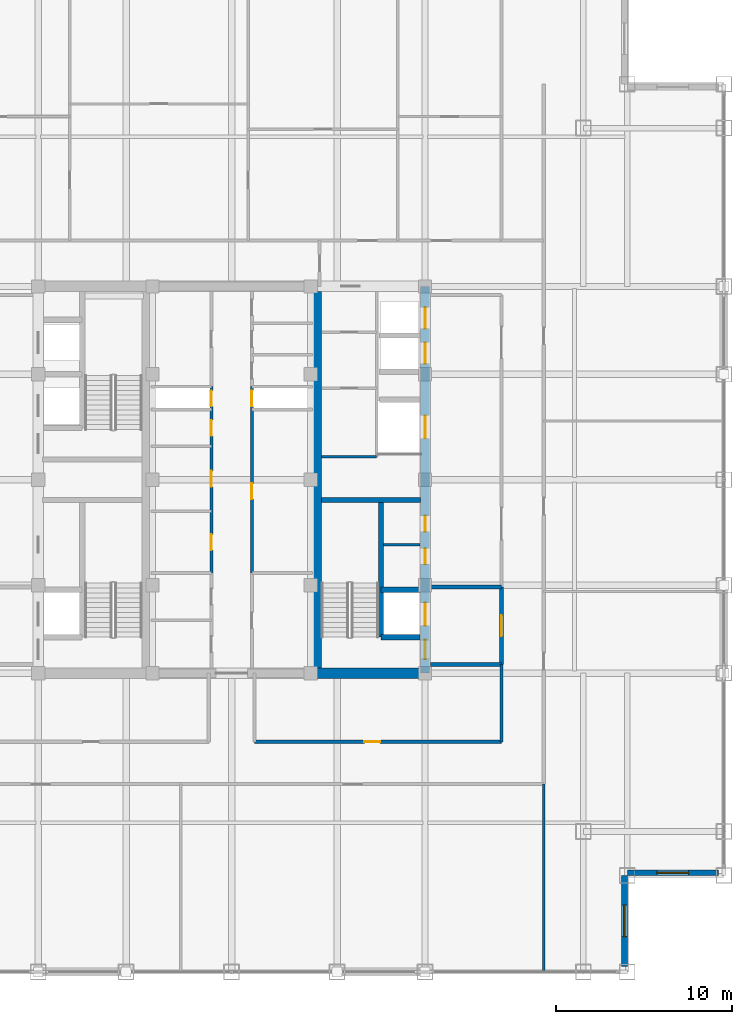
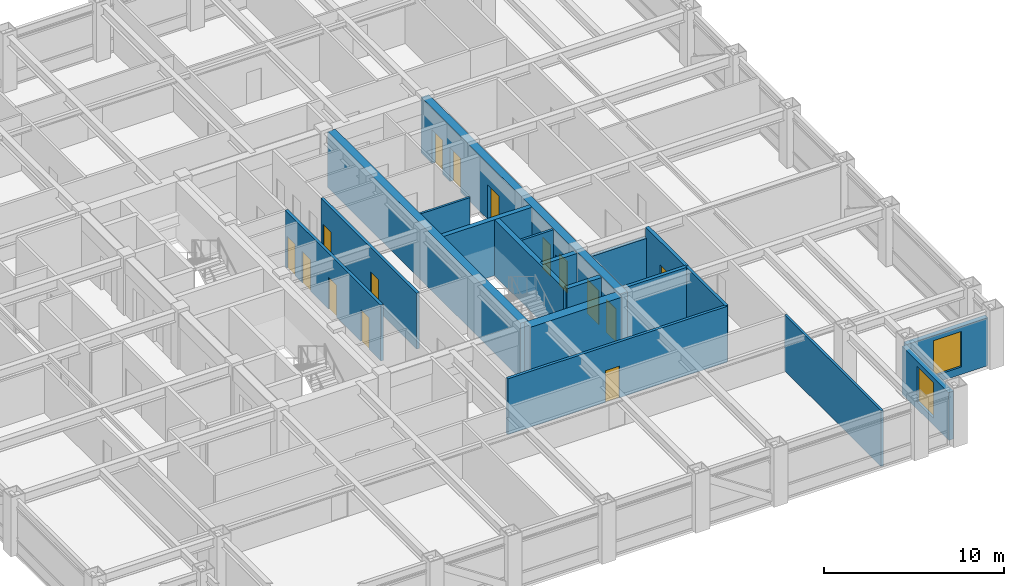
# One storey, part 19 of 22: 19 walls, 15 doors, 2 windows, 17 openings.
"""IFC4 building model written with IfcOpenShell, lengths in metres."""

from ifc_helpers import new_model, si_unit, direction, frame, frame_2d, origin, place, context, subcontext, project, spatial, rectangle, extrude, source, transform, mapped, material, layer, layer_set, type_object, element, fill, save


model = new_model("IFC4")

# Units and contexts
model_context = context("Model", 3, precision=1e-05, world=origin(), true_north=direction((0.0, 1.0)))
body_context = subcontext(model_context, "Body", "Model", "MODEL_VIEW")
ifc_project = project(units=[si_unit("LENGTHUNIT", "METRE"), si_unit("AREAUNIT", "SQUARE_METRE"), si_unit("VOLUMEUNIT", "CUBIC_METRE"), si_unit("PLANEANGLEUNIT", "RADIAN"), si_unit("MASSUNIT", "GRAM", prefix="KILO")], contexts=[model_context])

# Site, building, storey
site_placement = place(None, origin())
site = spatial("IfcSite", under=ifc_project, at=site_placement, CompositionType="ELEMENT")
building_placement = place(site_placement, origin())
building = spatial("IfcBuilding", under=site, at=building_placement, Name="Khorayat Bourse Tower", CompositionType="ELEMENT")
storey_placement = place(building_placement, frame((0.0, 0.0, 309.5)))
storey = spatial("IfcBuildingStorey", under=building, at=storey_placement, Name="L73", CompositionType="ELEMENT", Elevation=309.5)

# Wall, openings, doors
ifc_material_1 = material(Name="Concrete C52/65", Category="concrete")
ifc_layer_1 = layer(ifc_material_1, 0.5)
ifc_layer_set_1 = layer_set([ifc_layer_1], Name="Concrete C52/65")
wall_type_1 = type_object("IfcWallType", Name="WAL-CORE-500", PredefinedType="SHEAR", material=ifc_layer_set_1)
shared_shape_1 = source(origin(), body_context, "Body", "SweptSolid", [
    extrude(rectangle(XDim=22.0, YDim=0.5, at=frame_2d((11.0, 0.0))), origin(), (0.0, 0.0, 1.0), 3.780029296875),
])
wall_1_placement = place(storey_placement, frame((11.0, -11.0, 0.0), z_axis=(0.0, 0.0, 1.0), x_axis=(0.0, 1.0, 0.0)))
wall_1 = element("IfcWall", 1, at=wall_1_placement, inside=storey, type_object=wall_type_1, Name="L73 Core Shear Wall CORE-E", PredefinedType="SHEAR", context=body_context, shape_type="MappedRepresentation", body=[
    mapped(shared_shape_1, transform((0.0, 0.0, 0.0), scale=1.0)),
])
shared_shape_2 = source(origin(), body_context, "Body", "SweptSolid", [
    extrude(rectangle(XDim=1.10009765625, YDim=2.199951171875, at=frame_2d((0.550048828125, 1.10009765625))), frame((0.0, 0.260009765625, 0.0), z_axis=(0.0, -1.0, 0.0), x_axis=(1.0, 0.0, 0.0)), (0.0, 0.0, 1.0), 0.52001953125),
])
opening_1_placement = place(wall_1_placement, frame((0.800048828125, 0.0, 0.0)))
opening_1 = element("IfcOpeningElement", 2, at=opening_1_placement, cuts=wall_1, Name="Opening DI-01", PredefinedType="OPENING", context=body_context, shape_type="MappedRepresentation", body=[
    mapped(shared_shape_2, transform((0.0, 0.0, 0.0), scale=1.0)),
])
shared_shape_3 = source(origin(), body_context, "Body", "SweptSolid", [
    extrude(rectangle(XDim=0.89990234375, YDim=2.14990234375, at=frame_2d((0.449951171875, 1.074951171875))), frame((0.0, 0.260009765625, 0.0), z_axis=(0.0, -1.0, 0.0), x_axis=(1.0, 0.0, 0.0)), (0.0, 0.0, 1.0), 0.52001953125),
])
opening_2_placement = place(wall_1_placement, frame((6.199951171875, 0.0, 0.0)))
opening_2 = element("IfcOpeningElement", 3, at=opening_2_placement, cuts=wall_1, Name="Opening DI-06", PredefinedType="OPENING", context=body_context, shape_type="MappedRepresentation", body=[
    mapped(shared_shape_3, transform((0.0, 0.0, 0.0), scale=1.0)),
])
opening_3_placement = place(wall_1_placement, frame((8.050048828125, 0.0, 0.0)))
opening_3 = element("IfcOpeningElement", 4, at=opening_3_placement, cuts=wall_1, Name="Opening DI-06", PredefinedType="OPENING", context=body_context, shape_type="MappedRepresentation", body=[
    mapped(shared_shape_3, transform((0.0, 0.0, 0.0), scale=1.0)),
])
shared_shape_4 = source(origin(), body_context, "Body", "SweptSolid", [
    extrude(rectangle(XDim=1.199951171875, YDim=2.300048828125, at=frame_2d((0.60009765625, 1.14990234375))), frame((0.0, 0.260009765625, 0.0), z_axis=(0.0, -1.0, 0.0), x_axis=(1.0, 0.0, 0.0)), (0.0, 0.0, 1.0), 0.52001953125),
])
opening_4_placement = place(wall_1_placement, frame((17.60009765625, 0.0, 0.0)))
opening_4 = element("IfcOpeningElement", 5, at=opening_4_placement, cuts=wall_1, Name="Opening LD-01", PredefinedType="OPENING", context=body_context, shape_type="MappedRepresentation", body=[
    mapped(shared_shape_4, transform((0.0, 0.0, 0.0), scale=1.0)),
])
opening_5_placement = place(wall_1_placement, frame((19.60009765625, 0.0, 0.0)))
opening_5 = element("IfcOpeningElement", 6, at=opening_5_placement, cuts=wall_1, Name="Opening LD-01", PredefinedType="OPENING", context=body_context, shape_type="MappedRepresentation", body=[
    mapped(shared_shape_4, transform((0.0, 0.0, 0.0), scale=1.0)),
])
shared_shape_5 = source(origin(), body_context, "Body", "SweptSolid", [
    extrude(rectangle(XDim=1.300048828125, YDim=2.300048828125, at=frame_2d((0.64990234375, 1.14990234375))), frame((0.0, 0.260009765625, 0.0), z_axis=(0.0, -1.0, 0.0), x_axis=(1.0, 0.0, 0.0)), (0.0, 0.0, 1.0), 0.52001953125),
])
opening_6_placement = place(wall_1_placement, frame((2.699951171875, 0.0, 0.0)))
opening_6 = element("IfcOpeningElement", 7, at=opening_6_placement, cuts=wall_1, Name="Opening LD-02", PredefinedType="OPENING", context=body_context, shape_type="MappedRepresentation", body=[
    mapped(shared_shape_5, transform((0.0, 0.0, 0.0), scale=1.0)),
])
opening_7_placement = place(wall_1_placement, frame((13.35009765625, 0.0, 0.0)))
opening_7 = element("IfcOpeningElement", 8, at=opening_7_placement, cuts=wall_1, Name="Opening LD-02", PredefinedType="OPENING", context=body_context, shape_type="MappedRepresentation", body=[
    mapped(shared_shape_5, transform((0.0, 0.0, 0.0), scale=1.0)),
])
ifc_material_2 = material(Name="Fire-rated steel acoustic leaf", Category="steel")
door_type_1 = type_object("IfcDoorType", Name="DR-INT-STAIR-1100", OperationType="NOTDEFINED", PredefinedType="DOOR", material=ifc_material_2)
shared_shape_6 = source(origin(), body_context, "Body", "SweptSolid", [
    extrude(rectangle(XDim=1.10009765625, YDim=2.199951171875, at=frame_2d((0.550048828125, 1.10009765625))), frame((0.0, 0.02490234375, 0.0), z_axis=(0.0, -1.0, 0.0), x_axis=(1.0, 0.0, 0.0)), (0.0, 0.0, 1.0), 0.050048828125),
])
door_1_placement = place(opening_1_placement, origin())
door_1 = element("IfcDoor", 9, at=door_1_placement, inside=storey, type_object=door_type_1, Name="L73 Exit Stair 3 Door", OperationType="SINGLE_SWING_LEFT", OverallHeight=2.199951171875, OverallWidth=1.10009765625, PredefinedType="DOOR", context=body_context, shape_type="MappedRepresentation", body=[
    mapped(shared_shape_6, transform((0.0, 0.0, 0.0), scale=1.0)),
])
fill(opening_1, door_1)
ifc_material_3 = material(Name="Moisture-resistant laminate washroom door")
door_type_2 = type_object("IfcDoorType", Name="DR-INT-WC-900", OperationType="NOTDEFINED", PredefinedType="DOOR", material=ifc_material_3)
shared_shape_7 = source(origin(), body_context, "Body", "SweptSolid", [
    extrude(rectangle(XDim=0.89990234375, YDim=2.14990234375, at=frame_2d((0.449951171875, 1.074951171875))), frame((0.0, 0.02490234375, 0.0), z_axis=(0.0, -1.0, 0.0), x_axis=(1.0, 0.0, 0.0)), (0.0, 0.0, 1.0), 0.050048828125),
])
door_2_placement = place(opening_2_placement, origin())
door_2 = element("IfcDoor", 10, at=door_2_placement, inside=storey, type_object=door_type_2, Name="L73 Comms Closet Door", OperationType="SINGLE_SWING_LEFT", OverallHeight=2.14990234375, OverallWidth=0.89990234375, PredefinedType="DOOR", context=body_context, shape_type="MappedRepresentation", body=[
    mapped(shared_shape_7, transform((0.0, 0.0, 0.0), scale=1.0)),
])
fill(opening_2, door_2)
door_3_placement = place(opening_3_placement, origin())
door_3 = element("IfcDoor", 11, at=door_3_placement, inside=storey, type_object=door_type_2, Name="L73 Cleaner Store Door", OperationType="SINGLE_SWING_RIGHT", OverallHeight=2.14990234375, OverallWidth=0.89990234375, PredefinedType="DOOR", context=body_context, shape_type="MappedRepresentation", body=[
    mapped(shared_shape_7, transform((0.0, 0.0, 0.0), scale=1.0)),
])
fill(opening_3, door_3)
ifc_material_4 = material(Name="Brushed bronze stainless-steel sliding door", Category="steel")
door_type_3 = type_object("IfcDoorType", Name="DR-LIFT-PASS-1200", OperationType="NOTDEFINED", PredefinedType="DOOR", material=ifc_material_4)
shared_shape_8 = source(origin(), body_context, "Body", "SweptSolid", [
    extrude(rectangle(XDim=1.199951171875, YDim=2.300048828125, at=frame_2d((0.60009765625, 1.14990234375))), frame((0.0, 0.02490234375, 0.0), z_axis=(0.0, -1.0, 0.0), x_axis=(1.0, 0.0, 0.0)), (0.0, 0.0, 1.0), 0.050048828125),
])
door_4_placement = place(opening_4_placement, origin())
door_4 = element("IfcDoor", 12, at=door_4_placement, inside=storey, type_object=door_type_3, Name="L73 Lift PL-H3 Sliding Landing Door", OperationType="SLIDING_TO_LEFT", OverallHeight=2.300048828125, OverallWidth=1.199951171875, PredefinedType="DOOR", context=body_context, shape_type="MappedRepresentation", body=[
    mapped(shared_shape_8, transform((0.0, 0.0, 0.0), scale=1.0)),
])
fill(opening_4, door_4)
door_5_placement = place(opening_5_placement, origin())
door_5 = element("IfcDoor", 13, at=door_5_placement, inside=storey, type_object=door_type_3, Name="L73 Lift PL-H4 Sliding Landing Door", OperationType="SLIDING_TO_LEFT", OverallHeight=2.300048828125, OverallWidth=1.199951171875, PredefinedType="DOOR", context=body_context, shape_type="MappedRepresentation", body=[
    mapped(shared_shape_8, transform((0.0, 0.0, 0.0), scale=1.0)),
])
fill(opening_5, door_5)
ifc_material_5 = material(Name="Fire-rated stainless-steel sliding landing door", Category="steel")
door_type_4 = type_object("IfcDoorType", Name="DR-LIFT-FF-1300", OperationType="NOTDEFINED", PredefinedType="DOOR", material=ifc_material_5)
shared_shape_9 = source(origin(), body_context, "Body", "SweptSolid", [
    extrude(rectangle(XDim=1.300048828125, YDim=2.300048828125, at=frame_2d((0.64990234375, 1.14990234375))), frame((0.0, 0.02490234375, 0.0), z_axis=(0.0, -1.0, 0.0), x_axis=(1.0, 0.0, 0.0)), (0.0, 0.0, 1.0), 0.050048828125),
])
door_6_placement = place(opening_6_placement, origin())
door_6 = element("IfcDoor", 14, at=door_6_placement, inside=storey, type_object=door_type_4, Name="L73 Lift FFL-02 Sliding Landing Door", OperationType="SLIDING_TO_LEFT", OverallHeight=2.300048828125, OverallWidth=1.300048828125, PredefinedType="DOOR", context=body_context, shape_type="MappedRepresentation", body=[
    mapped(shared_shape_9, transform((0.0, 0.0, 0.0), scale=1.0)),
])
fill(opening_6, door_6)
door_7_placement = place(opening_7_placement, origin())
door_7 = element("IfcDoor", 15, at=door_7_placement, inside=storey, type_object=door_type_4, Name="L73 Lift SVL-01 Sliding Landing Door", OperationType="SLIDING_TO_LEFT", OverallHeight=2.300048828125, OverallWidth=1.300048828125, PredefinedType="DOOR", context=body_context, shape_type="MappedRepresentation", body=[
    mapped(shared_shape_9, transform((0.0, 0.0, 0.0), scale=1.0)),
])
fill(opening_7, door_7)

# Walls
shared_shape_10 = source(origin(), body_context, "Body", "SweptSolid", [
    extrude(rectangle(XDim=21.39990234375, YDim=0.5, at=frame_2d((10.699951171875, 0.0))), origin(), (0.0, 0.0, 1.0), 3.780029296875),
])
wall_2_placement = place(storey_placement, frame((4.85009765625, -10.699951171875, 0.0), z_axis=(0.0, 0.0, 1.0), x_axis=(0.0, 1.0, 0.0)))
element("IfcWall", 16, at=wall_2_placement, inside=storey, type_object=wall_type_1, Name="L73 Core Shear Wall PIER-E", PredefinedType="SHEAR", context=body_context, shape_type="MappedRepresentation", body=[
    mapped(shared_shape_10, transform((0.0, 0.0, 0.0), scale=1.0)),
])
ifc_material_6 = material(Name="Concrete C60/75", Category="concrete")
ifc_layer_2 = layer(ifc_material_6, 0.60009765625)
ifc_layer_set_2 = layer_set([ifc_layer_2], Name="Concrete C60/75")
wall_type_2 = type_object("IfcWallType", Name="WAL-CORE-600", PredefinedType="SHEAR", material=ifc_layer_set_2)
shared_shape_11 = source(origin(), body_context, "Body", "SweptSolid", [
    extrude(rectangle(XDim=5.89990234375, YDim=0.60009765625, at=frame_2d((2.949951171875, 0.0))), origin(), (0.0, 0.0, 1.0), 3.780029296875),
])
wall_3_placement = place(storey_placement, frame((4.85009765625, -11.0, 0.0), z_axis=(0.0, 0.0, 1.0), x_axis=(1.0, 0.0, 0.0)))
element("IfcWall", 17, at=wall_3_placement, inside=storey, type_object=wall_type_2, Name="L73 Core Shear Wall PIER-ES", PredefinedType="SHEAR", context=body_context, shape_type="MappedRepresentation", body=[
    mapped(shared_shape_11, transform((0.0, 0.0, 0.0), scale=1.0)),
])
ifc_material_7 = material(Name="Concrete C50/60", Category="concrete")
ifc_layer_3 = layer(ifc_material_7, 0.300048828125)
ifc_layer_set_3 = layer_set([ifc_layer_3], Name="Concrete C50/60")
wall_type_3 = type_object("IfcWallType", Name="WAL-SHAFT-300", PredefinedType="SHEAR", material=ifc_layer_set_3)
shared_shape_12 = source(origin(), body_context, "Body", "SweptSolid", [
    extrude(rectangle(XDim=5.64990234375, YDim=0.300048828125, at=frame_2d((2.824951171875, 0.0))), origin(), (0.0, 0.0, 1.0), 3.780029296875),
])
wall_4_placement = place(storey_placement, frame((5.10009765625, -1.14990234375, 0.0), z_axis=(0.0, 0.0, 1.0), x_axis=(1.0, 0.0, 0.0)))
element("IfcWall", 18, at=wall_4_placement, inside=storey, type_object=wall_type_3, Name="L73 Core Shear Wall ST3-DIV", PredefinedType="SHEAR", context=body_context, shape_type="MappedRepresentation", body=[
    mapped(shared_shape_12, transform((0.0, 0.0, 0.0), scale=1.0)),
])

# Wall, opening, window
ifc_material_8 = material(Name="Precast concrete C45/55", Category="concrete")
ifc_layer_4 = layer(ifc_material_8, 0.320068359375)
ifc_layer_set_4 = layer_set([ifc_layer_4], Name="Precast concrete C45/55")
wall_type_4 = type_object("IfcWallType", Name="WAL-EXT-STONE-320", PredefinedType="STANDARD", material=ifc_layer_set_4)
shared_shape_13 = source(origin(), body_context, "Body", "SweptSolid", [
    extrude(rectangle(XDim=5.179931640625, YDim=0.320068359375, at=frame_2d((2.58984375, 0.0))), origin(), (0.0, 0.0, 1.0), 3.23095703125),
])
wall_5_placement = place(storey_placement, frame((22.340087890625, -27.679931640625, 0.0), z_axis=(0.0, 0.0, 1.0), x_axis=(0.0, 1.0, 0.0)))
wall_5 = element("IfcWall", 19, at=wall_5_placement, inside=storey, type_object=wall_type_4, Name="L73 Re-Entrant Notch Limestone Wall SE-V", PredefinedType="STANDARD", context=body_context, shape_type="MappedRepresentation", body=[
    mapped(shared_shape_13, transform((0.0, 0.0, 0.0), scale=1.0)),
])
shared_shape_14 = source(origin(), body_context, "Body", "SweptSolid", [
    extrude(rectangle(XDim=1.800048828125, YDim=2.39990234375, at=frame_2d((0.89990234375, 1.199951171875))), frame((0.0, 0.169921875, 0.0), z_axis=(0.0, -1.0, 0.0), x_axis=(1.0, 0.0, 0.0)), (0.0, 0.0, 1.0), 0.340087890625),
])
opening_8_placement = place(wall_5_placement, frame((1.68994140625, 0.0, 0.5)))
opening_8 = element("IfcOpeningElement", 20, at=opening_8_placement, cuts=wall_5, Name="Opening WN-04", PredefinedType="OPENING", context=body_context, shape_type="MappedRepresentation", body=[
    mapped(shared_shape_14, transform((0.0, 0.0, 0.0), scale=1.0)),
])
ifc_material_9 = material(Name="Low-E acoustic laminated double glazing", Category="glass")
window_type = type_object("IfcWindowType", Name="WIN-NOTCH-1800x2400", PartitioningType="SINGLE_PANEL", PredefinedType="WINDOW", material=ifc_material_9)
shared_shape_15 = source(origin(), body_context, "Body", "SweptSolid", [
    extrude(rectangle(XDim=1.800048828125, YDim=2.39990234375, at=frame_2d((0.89990234375, 1.199951171875))), frame((0.0, 0.030029296875, 0.0), z_axis=(0.0, -1.0, 0.0), x_axis=(1.0, 0.0, 0.0)), (0.0, 0.0, 1.0), 0.06005859375),
])
window_1_placement = place(opening_8_placement, origin())
window_1 = element("IfcWindow", 21, at=window_1_placement, inside=storey, type_object=window_type, Name="L73 Facade Window 1", OverallHeight=2.39990234375, OverallWidth=1.800048828125, PartitioningType="SINGLE_PANEL", PredefinedType="WINDOW", context=body_context, shape_type="MappedRepresentation", body=[
    mapped(shared_shape_15, transform((0.0, 0.0, 0.0), scale=1.0)),
])
fill(opening_8, window_1)

wall_6_placement = place(storey_placement, frame((22.5, -22.340087890625, 0.0), z_axis=(0.0, 0.0, 1.0), x_axis=(1.0, 0.0, 0.0)))
wall_6 = element("IfcWall", 22, at=wall_6_placement, inside=storey, type_object=wall_type_4, Name="L73 Re-Entrant Notch Limestone Wall SE-H", PredefinedType="STANDARD", context=body_context, shape_type="MappedRepresentation", body=[
    mapped(shared_shape_13, transform((0.0, 0.0, 0.0), scale=1.0)),
])
opening_9_placement = place(wall_6_placement, frame((1.68994140625, 0.0, 0.5)))
opening_9 = element("IfcOpeningElement", 23, at=opening_9_placement, cuts=wall_6, Name="Opening WN-04", PredefinedType="OPENING", context=body_context, shape_type="MappedRepresentation", body=[
    mapped(shared_shape_14, transform((0.0, 0.0, 0.0), scale=1.0)),
])
window_2_placement = place(opening_9_placement, origin())
window_2 = element("IfcWindow", 24, at=window_2_placement, inside=storey, type_object=window_type, Name="L73 Facade Window 1", OverallHeight=2.39990234375, OverallWidth=1.800048828125, PartitioningType="SINGLE_PANEL", PredefinedType="WINDOW", context=body_context, shape_type="MappedRepresentation", body=[
    mapped(shared_shape_15, transform((0.0, 0.0, 0.0), scale=1.0)),
])
fill(opening_9, window_2)

# Walls
ifc_material_10 = material(Name="Aerated concrete blockwork", Category="masonry")
ifc_layer_5 = layer(ifc_material_10, 0.219970703125)
ifc_layer_set_5 = layer_set([ifc_layer_5], Name="Aerated concrete blockwork")
wall_type_5 = type_object("IfcWallType", Name="WAL-PART-FF-220", PredefinedType="PARTITIONING", material=ifc_layer_set_5)
shared_shape_16 = source(origin(), body_context, "Body", "SweptSolid", [
    extrude(rectangle(XDim=4.050048828125, YDim=0.219970703125, at=frame_2d((2.02490234375, 0.0))), origin(), (0.0, 0.0, 1.0), 3.0849609375),
])
wall_7_placement = place(storey_placement, frame((11.300048828125, -6.10009765625, 0.0), z_axis=(0.0, 0.0, 1.0), x_axis=(1.0, 0.0, 0.0)))
element("IfcWall", 25, at=wall_7_placement, inside=storey, type_object=wall_type_5, Name="L73 Partition WAL-L73-FFLE-N", PredefinedType="PARTITIONING", context=body_context, shape_type="MappedRepresentation", body=[
    mapped(shared_shape_16, transform((0.0, 0.0, 0.0), scale=1.0)),
])
shared_shape_17 = source(origin(), body_context, "Body", "SweptSolid", [
    extrude(rectangle(XDim=7.800048828125, YDim=0.300048828125, at=frame_2d((3.89990234375, 0.0))), origin(), (0.0, 0.0, 1.0), 3.780029296875),
])
wall_8_placement = place(storey_placement, frame((8.5, -8.949951171875, 0.0), z_axis=(0.0, 0.0, 1.0), x_axis=(0.0, 1.0, 0.0)))
element("IfcWall", 26, at=wall_8_placement, inside=storey, type_object=wall_type_3, Name="L73 Partition WAL-L73-EPIER-SP", PredefinedType="SHEAR", context=body_context, shape_type="MappedRepresentation", body=[
    mapped(shared_shape_17, transform((0.0, 0.0, 0.0), scale=1.0)),
])
shared_shape_18 = source(origin(), body_context, "Body", "SweptSolid", [
    extrude(rectangle(XDim=2.199951171875, YDim=0.300048828125, at=frame_2d((1.10009765625, 0.0))), origin(), (0.0, 0.0, 1.0), 3.780029296875),
])
for number, where, z_axis, x_axis, name in (
    (27, (8.5, -8.949951171875, 0.0), (0.0, 0.0, 1.0), (1.0, 0.0, 0.0), "L73 Partition WAL-L73-EPIER-FF2S"),
    (28, (8.5, -6.25, 0.0), (0.0, 0.0, 1.0), (1.0, 0.0, 0.0), "L73 Partition WAL-L73-EPIER-FF2N"),
):
    element("IfcWall", number, at=place(storey_placement, frame(where, z_axis=z_axis, x_axis=x_axis)), inside=storey, type_object=wall_type_3, Name=name, PredefinedType="SHEAR", context=body_context, shape_type="MappedRepresentation", body=[
        mapped(shared_shape_18, transform((0.0, 0.0, 0.0), scale=1.0)),
    ])
ifc_material_11 = material(Name="Gypsum plasterboard twin-frame partition")
ifc_layer_6 = layer(ifc_material_11, 0.14990234375)
ifc_layer_set_6 = layer_set([ifc_layer_6], Name="Gypsum plasterboard twin-frame partition")
wall_type_6 = type_object("IfcWallType", Name="WAL-PART-SUITE-150", PredefinedType="PARTITIONING", material=ifc_layer_set_6)
shared_shape_19 = source(origin(), body_context, "Body", "SweptSolid", [
    extrude(rectangle(XDim=2.050048828125, YDim=0.14990234375, at=frame_2d((1.02490234375, 0.0))), origin(), (0.0, 0.0, 1.0), 3.780029296875),
])
wall_9_placement = place(storey_placement, frame((8.64990234375, -3.699951171875, 0.0), z_axis=(0.0, 0.0, 1.0), x_axis=(1.0, 0.0, 0.0)))
element("IfcWall", 29, at=wall_9_placement, inside=storey, type_object=wall_type_6, Name="L73 Partition WAL-L73-ESRV-D1", PredefinedType="PARTITIONING", context=body_context, shape_type="MappedRepresentation", body=[
    mapped(shared_shape_19, transform((0.0, 0.0, 0.0), scale=1.0)),
])
ifc_material_12 = material(Name="Moisture-resistant masonry partition", Category="masonry")
ifc_layer_7 = layer(ifc_material_12, 0.139892578125)
ifc_layer_set_7 = layer_set([ifc_layer_7], Name="Moisture-resistant masonry partition")
wall_type_7 = type_object("IfcWallType", Name="WAL-PART-WET-140", PredefinedType="PARTITIONING", material=ifc_layer_set_7)
shared_shape_20 = source(origin(), body_context, "Body", "SweptSolid", [
    extrude(rectangle(XDim=3.14990234375, YDim=0.139892578125, at=frame_2d((1.574951171875, 0.0))), origin(), (0.0, 0.0, 1.0), 3.780029296875),
])
wall_10_placement = place(storey_placement, frame((5.10009765625, 1.300048828125, 0.0), z_axis=(0.0, 0.0, 1.0), x_axis=(1.0, 0.0, 0.0)))
element("IfcWall", 30, at=wall_10_placement, inside=storey, type_object=wall_type_7, Name="L73 Partition WAL-L73-ECORE-S", PredefinedType="PARTITIONING", context=body_context, shape_type="MappedRepresentation", body=[
    mapped(shared_shape_20, transform((0.0, 0.0, 0.0), scale=1.0)),
])
shared_shape_21 = source(origin(), body_context, "Body", "SweptSolid", [
    extrude(rectangle(XDim=4.050048828125, YDim=0.219970703125, at=frame_2d((2.02490234375, 0.0))), origin(), (0.0, 0.0, 1.0), 3.780029296875),
])
wall_11_placement = place(storey_placement, frame((11.300048828125, -10.5, 0.0), z_axis=(0.0, 0.0, 1.0), x_axis=(1.0, 0.0, 0.0)))
element("IfcWall", 31, at=wall_11_placement, inside=storey, type_object=wall_type_5, Name="L73 Partition WAL-L73-FFLE-S", PredefinedType="PARTITIONING", context=body_context, shape_type="MappedRepresentation", body=[
    mapped(shared_shape_21, transform((0.0, 0.0, 0.0), scale=1.0)),
])

# Wall, opening, door
shared_shape_22 = source(origin(), body_context, "Body", "SweptSolid", [
    extrude(rectangle(XDim=4.39990234375, YDim=0.219970703125, at=frame_2d((2.199951171875, 0.0))), origin(), (0.0, 0.0, 1.0), 3.780029296875),
])
wall_12_placement = place(storey_placement, frame((15.35009765625, -10.5, 0.0), z_axis=(0.0, 0.0, 1.0), x_axis=(0.0, 1.0, 0.0)))
wall_12 = element("IfcWall", 32, at=wall_12_placement, inside=storey, type_object=wall_type_5, Name="L73 Partition WAL-L73-FFLE-E", PredefinedType="PARTITIONING", context=body_context, shape_type="MappedRepresentation", body=[
    mapped(shared_shape_22, transform((0.0, 0.0, 0.0), scale=1.0)),
])
shared_shape_23 = source(origin(), body_context, "Body", "SweptSolid", [
    extrude(rectangle(XDim=1.199951171875, YDim=2.199951171875, at=frame_2d((0.60009765625, 1.10009765625))), frame((0.0, 0.119873046875, 0.0), z_axis=(0.0, -1.0, 0.0), x_axis=(1.0, 0.0, 0.0)), (0.0, 0.0, 1.0), 0.239990234375),
])
opening_10_placement = place(wall_12_placement, frame((1.60009765625, 0.0, 0.0)))
opening_10 = element("IfcOpeningElement", 33, at=opening_10_placement, cuts=wall_12, Name="Opening DI-02", PredefinedType="OPENING", context=body_context, shape_type="MappedRepresentation", body=[
    mapped(shared_shape_23, transform((0.0, 0.0, 0.0), scale=1.0)),
])
ifc_material_13 = material(Name="Fire-rated steel double-seal leaf", Category="steel")
door_type_5 = type_object("IfcDoorType", Name="DR-INT-FFLOBBY-1200", OperationType="NOTDEFINED", PredefinedType="DOOR", material=ifc_material_13)
shared_shape_24 = source(origin(), body_context, "Body", "SweptSolid", [
    extrude(rectangle(XDim=1.199951171875, YDim=2.199951171875, at=frame_2d((0.60009765625, 1.10009765625))), frame((0.0, 0.02490234375, 0.0), z_axis=(0.0, -1.0, 0.0), x_axis=(1.0, 0.0, 0.0)), (0.0, 0.0, 1.0), 0.050048828125),
])
door_8_placement = place(opening_10_placement, origin())
door_8 = element("IfcDoor", 34, at=door_8_placement, inside=storey, type_object=door_type_5, Name="L73 East Firefighting Lobby Door", OperationType="SINGLE_SWING_RIGHT", OverallHeight=2.199951171875, OverallWidth=1.199951171875, PredefinedType="DOOR", context=body_context, shape_type="MappedRepresentation", body=[
    mapped(shared_shape_24, transform((0.0, 0.0, 0.0), scale=1.0)),
])
fill(opening_10, door_8)

# Wall, openings, doors
ifc_material_14 = material(Name="Gypsum plasterboard acoustic stud wall")
ifc_layer_8 = layer(ifc_material_14, 0.179931640625)
ifc_layer_set_8 = layer_set([ifc_layer_8], Name="Gypsum plasterboard acoustic stud wall")
wall_type_8 = type_object("IfcWallType", Name="WAL-PART-CORR-180", PredefinedType="PARTITIONING", material=ifc_layer_set_8)
shared_shape_25 = source(origin(), body_context, "Body", "SweptSolid", [
    extrude(rectangle(XDim=10.60009765625, YDim=0.179931640625, at=frame_2d((5.300048828125, 0.0))), origin(), (0.0, 0.0, 1.0), 3.780029296875),
])
wall_13_placement = place(storey_placement, frame((-1.14990234375, -5.300048828125, 0.0), z_axis=(0.0, 0.0, 1.0), x_axis=(0.0, 1.0, 0.0)))
wall_13 = element("IfcWall", 35, at=wall_13_placement, inside=storey, type_object=wall_type_8, Name="L73 Partition WAL-L73-CMW-L", PredefinedType="PARTITIONING", context=body_context, shape_type="MappedRepresentation", body=[
    mapped(shared_shape_25, transform((0.0, 0.0, 0.0), scale=1.0)),
])
shared_shape_26 = source(origin(), body_context, "Body", "SweptSolid", [
    extrude(rectangle(XDim=0.89990234375, YDim=2.14990234375, at=frame_2d((0.449951171875, 1.074951171875))), frame((0.0, 0.099853515625, 0.0), z_axis=(0.0, -1.0, 0.0), x_axis=(1.0, 0.0, 0.0)), (0.0, 0.0, 1.0), 0.199951171875),
])
opening_11_placement = place(wall_13_placement, frame((1.300048828125, 0.0, 0.0)))
opening_11 = element("IfcOpeningElement", 36, at=opening_11_placement, cuts=wall_13, Name="Opening DI-06", PredefinedType="OPENING", context=body_context, shape_type="MappedRepresentation", body=[
    mapped(shared_shape_26, transform((0.0, 0.0, 0.0), scale=1.0)),
])
opening_12_placement = place(wall_13_placement, frame((4.89990234375, 0.0, 0.0)))
opening_12 = element("IfcOpeningElement", 37, at=opening_12_placement, cuts=wall_13, Name="Opening DI-06", PredefinedType="OPENING", context=body_context, shape_type="MappedRepresentation", body=[
    mapped(shared_shape_26, transform((0.0, 0.0, 0.0), scale=1.0)),
])
opening_13_placement = place(wall_13_placement, frame((7.800048828125, 0.0, 0.0)))
opening_13 = element("IfcOpeningElement", 38, at=opening_13_placement, cuts=wall_13, Name="Opening DI-06", PredefinedType="OPENING", context=body_context, shape_type="MappedRepresentation", body=[
    mapped(shared_shape_26, transform((0.0, 0.0, 0.0), scale=1.0)),
])
opening_14_placement = place(wall_13_placement, frame((9.47509765625, 0.0, 0.0)))
opening_14 = element("IfcOpeningElement", 39, at=opening_14_placement, cuts=wall_13, Name="Opening DI-06", PredefinedType="OPENING", context=body_context, shape_type="MappedRepresentation", body=[
    mapped(shared_shape_26, transform((0.0, 0.0, 0.0), scale=1.0)),
])
door_9_placement = place(opening_11_placement, origin())
door_9 = element("IfcDoor", 40, at=door_9_placement, inside=storey, type_object=door_type_2, Name="L73 Male Core Washroom Door", OperationType="SINGLE_SWING_RIGHT", OverallHeight=2.14990234375, OverallWidth=0.89990234375, PredefinedType="DOOR", context=body_context, shape_type="MappedRepresentation", body=[
    mapped(shared_shape_7, transform((0.0, 0.0, 0.0), scale=1.0)),
])
fill(opening_11, door_9)
door_10_placement = place(opening_12_placement, origin())
door_10 = element("IfcDoor", 41, at=door_10_placement, inside=storey, type_object=door_type_2, Name="L73 AHU Fan Plant Room Door", OperationType="SINGLE_SWING_LEFT", OverallHeight=2.14990234375, OverallWidth=0.89990234375, PredefinedType="DOOR", context=body_context, shape_type="MappedRepresentation", body=[
    mapped(shared_shape_7, transform((0.0, 0.0, 0.0), scale=1.0)),
])
fill(opening_12, door_10)
door_11_placement = place(opening_13_placement, origin())
door_11 = element("IfcDoor", 42, at=door_11_placement, inside=storey, type_object=door_type_2, Name="L73 Janitor Store Door", OperationType="SINGLE_SWING_RIGHT", OverallHeight=2.14990234375, OverallWidth=0.89990234375, PredefinedType="DOOR", context=body_context, shape_type="MappedRepresentation", body=[
    mapped(shared_shape_7, transform((0.0, 0.0, 0.0), scale=1.0)),
])
fill(opening_13, door_11)
door_12_placement = place(opening_14_placement, origin())
door_12 = element("IfcDoor", 43, at=door_12_placement, inside=storey, type_object=door_type_2, Name="L73 West Core Riser Door", OperationType="SINGLE_SWING_LEFT", OverallHeight=2.14990234375, OverallWidth=0.89990234375, PredefinedType="DOOR", context=body_context, shape_type="MappedRepresentation", body=[
    mapped(shared_shape_7, transform((0.0, 0.0, 0.0), scale=1.0)),
])
fill(opening_14, door_12)

wall_14_placement = place(storey_placement, frame((1.14990234375, -5.300048828125, 0.0), z_axis=(0.0, 0.0, 1.0), x_axis=(0.0, 1.0, 0.0)))
wall_14 = element("IfcWall", 44, at=wall_14_placement, inside=storey, type_object=wall_type_8, Name="L73 Partition WAL-L73-CME-L", PredefinedType="PARTITIONING", context=body_context, shape_type="MappedRepresentation", body=[
    mapped(shared_shape_25, transform((0.0, 0.0, 0.0), scale=1.0)),
])
opening_15_placement = place(wall_14_placement, frame((4.199951171875, 0.0, 0.0)))
opening_15 = element("IfcOpeningElement", 45, at=opening_15_placement, cuts=wall_14, Name="Opening DI-06", PredefinedType="OPENING", context=body_context, shape_type="MappedRepresentation", body=[
    mapped(shared_shape_26, transform((0.0, 0.0, 0.0), scale=1.0)),
])
opening_16_placement = place(wall_14_placement, frame((9.47509765625, 0.0, 0.0)))
opening_16 = element("IfcOpeningElement", 46, at=opening_16_placement, cuts=wall_14, Name="Opening DI-06", PredefinedType="OPENING", context=body_context, shape_type="MappedRepresentation", body=[
    mapped(shared_shape_26, transform((0.0, 0.0, 0.0), scale=1.0)),
])
door_13_placement = place(opening_15_placement, origin())
door_13 = element("IfcDoor", 47, at=door_13_placement, inside=storey, type_object=door_type_2, Name="L73 Female Core Washroom Door", OperationType="SINGLE_SWING_RIGHT", OverallHeight=2.14990234375, OverallWidth=0.89990234375, PredefinedType="DOOR", context=body_context, shape_type="MappedRepresentation", body=[
    mapped(shared_shape_7, transform((0.0, 0.0, 0.0), scale=1.0)),
])
fill(opening_15, door_13)
door_14_placement = place(opening_16_placement, origin())
door_14 = element("IfcDoor", 48, at=door_14_placement, inside=storey, type_object=door_type_2, Name="L73 East Core Riser Door", OperationType="SINGLE_SWING_RIGHT", OverallHeight=2.14990234375, OverallWidth=0.89990234375, PredefinedType="DOOR", context=body_context, shape_type="MappedRepresentation", body=[
    mapped(shared_shape_7, transform((0.0, 0.0, 0.0), scale=1.0)),
])
fill(opening_16, door_14)

# Wall, opening, door
shared_shape_27 = source(origin(), body_context, "Body", "SweptSolid", [
    extrude(rectangle(XDim=14.050048828125, YDim=0.179931640625, at=frame_2d((7.02490234375, 0.0))), origin(), (0.0, 0.0, 1.0), 3.780029296875),
])
wall_15_placement = place(storey_placement, frame((1.300048828125, -14.89990234375, 0.0), z_axis=(0.0, 0.0, 1.0), x_axis=(1.0, 0.0, 0.0)))
wall_15 = element("IfcWall", 49, at=wall_15_placement, inside=storey, type_object=wall_type_8, Name="L73 Partition WAL-L73-PKSE-S", PredefinedType="PARTITIONING", context=body_context, shape_type="MappedRepresentation", body=[
    mapped(shared_shape_27, transform((0.0, 0.0, 0.0), scale=1.0)),
])
opening_17_placement = place(wall_15_placement, frame((6.25, 0.0, 0.0)))
opening_17 = element("IfcOpeningElement", 50, at=opening_17_placement, cuts=wall_15, Name="Opening DI-06", PredefinedType="OPENING", context=body_context, shape_type="MappedRepresentation", body=[
    mapped(shared_shape_26, transform((0.0, 0.0, 0.0), scale=1.0)),
])
door_15_placement = place(opening_17_placement, origin())
door_15 = element("IfcDoor", 51, at=door_15_placement, inside=storey, type_object=door_type_2, Name="L73 SE Inboard Study Door", OperationType="SINGLE_SWING_RIGHT", OverallHeight=2.14990234375, OverallWidth=0.89990234375, PredefinedType="DOOR", context=body_context, shape_type="MappedRepresentation", body=[
    mapped(shared_shape_7, transform((0.0, 0.0, 0.0), scale=1.0)),
])
fill(opening_17, door_15)

# Walls
shared_shape_28 = source(origin(), body_context, "Body", "SweptSolid", [
    extrude(rectangle(XDim=4.39990234375, YDim=0.179931640625, at=frame_2d((2.199951171875, 0.0))), origin(), (0.0, 0.0, 1.0), 3.780029296875),
])
wall_16_placement = place(storey_placement, frame((15.35009765625, -14.89990234375, 0.0), z_axis=(0.0, 0.0, 1.0), x_axis=(0.0, 1.0, 0.0)))
element("IfcWall", 52, at=wall_16_placement, inside=storey, type_object=wall_type_8, Name="L73 Partition WAL-L73-PKSE-E", PredefinedType="PARTITIONING", context=body_context, shape_type="MappedRepresentation", body=[
    mapped(shared_shape_28, transform((0.0, 0.0, 0.0), scale=1.0)),
])
shared_shape_29 = source(origin(), body_context, "Body", "SweptSolid", [
    extrude(rectangle(XDim=10.699951171875, YDim=0.14990234375, at=frame_2d((5.35009765625, 0.0))), origin(), (0.0, 0.0, 1.0), 3.780029296875),
])
wall_17_placement = place(storey_placement, frame((17.75, -28.0, 0.0), z_axis=(0.0, 0.0, 1.0), x_axis=(0.0, 1.0, 0.0)))
element("IfcWall", 53, at=wall_17_placement, inside=storey, type_object=wall_type_6, Name="L73 Partition WAL-L73-SCE-END", PredefinedType="PARTITIONING", context=body_context, shape_type="MappedRepresentation", body=[
    mapped(shared_shape_29, transform((0.0, 0.0, 0.0), scale=1.0)),
])

save(model, "model.ifc")
